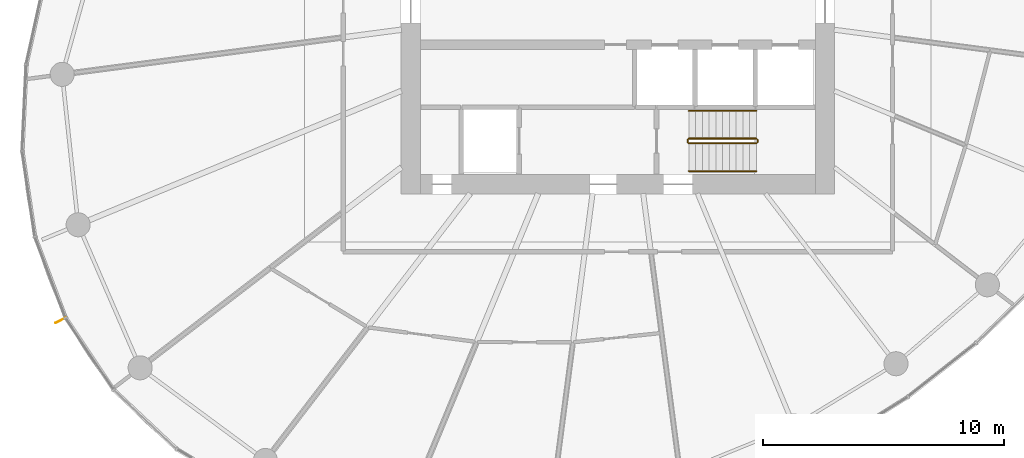
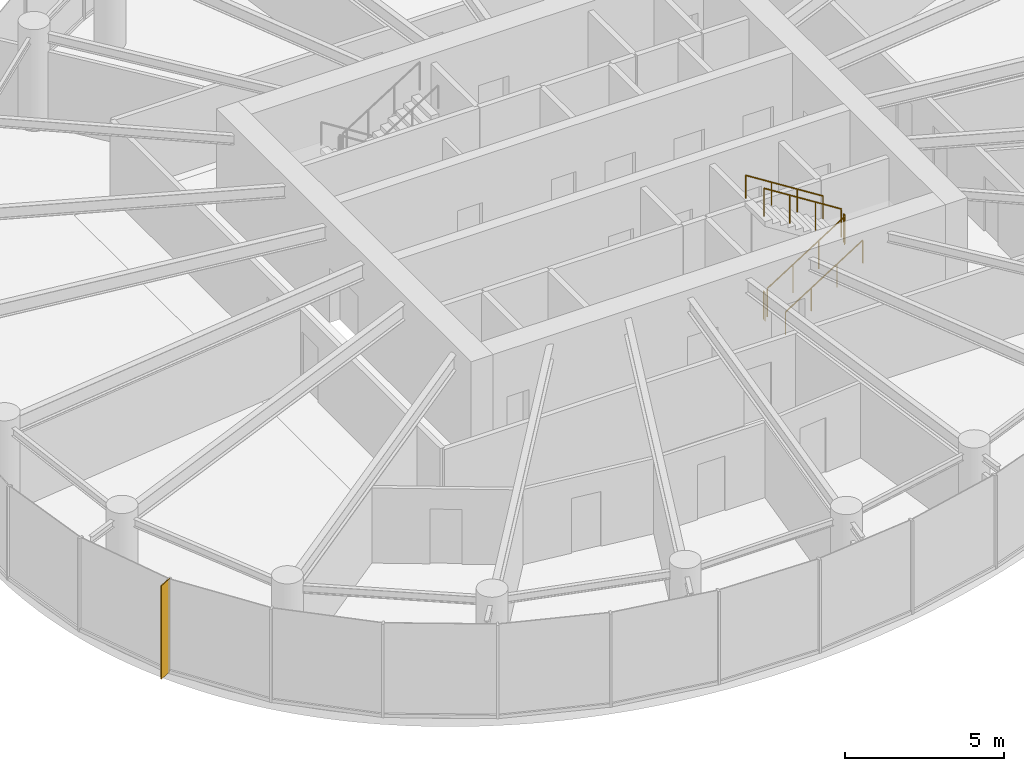
# One storey, part 12 of 14: 6 railings, 1 shading device.
"""IFC4 building model written with IfcOpenShell, lengths in metres."""

import ifcopenshell
import ifcopenshell.guid

model = None  # the IFC model being written
_history = None  # IfcOwnerHistory: only IFC2X3 demands one
_inside = {}  # id of a spatial element -> (the spatial element, [elements in it])
_under = {}  # id of a project, library or spatial element -> (it, [spatial elements below it])
_declared = {}  # id of a project -> (the project, [libraries it declares])
_typed = {}  # id of a type object -> (the type object, [elements of that type])
_made_of = {}  # id of a material, layer set ... -> (it, [elements and type objects made of it])


def new_model(schema):
    """Start an empty IFC model of exactly this schema.

    Asked for "IFC4X3", IfcOpenShell would pick the latest addendum, in which some entities
    have other attributes; the version numbers below select the first issue.
    IFC2X3 requires an IfcOwnerHistory on every rooted entity: one is made here for all.
    """
    global model, _history
    if schema == "IFC4X3":
        model = ifcopenshell.file(schema_version=(4, 3, 0, 0))
    else:
        model = ifcopenshell.file(schema=schema)
    _inside.clear()
    _under.clear()
    _declared.clear()
    _typed.clear()
    _made_of.clear()
    _history = None
    if model.schema == "IFC2X3":
        org = make("IfcOrganization", Name="unknown")
        user = make(
            "IfcPersonAndOrganization",
            ThePerson=make("IfcPerson", FamilyName="unknown"),
            TheOrganization=org,
        )
        app = make(
            "IfcApplication",
            ApplicationDeveloper=org,
            Version="unknown",
            ApplicationFullName="unknown",
            ApplicationIdentifier="unknown",
        )
        _history = make(
            "IfcOwnerHistory",
            OwningUser=user,
            OwningApplication=app,
            ChangeAction="ADDED",
            CreationDate=0,
        )
    return model


def make(cls, **values):
    """One entity of the class cls with the attributes given. An attribute that is None is left unset."""
    return model.create_entity(
        cls, **{name: value for name, value in values.items() if value is not None}
    )


def rooted(cls, **values):
    """An entity with a GlobalId (a new one), such as an element, a storey or a relation."""
    return make(cls, GlobalId=ifcopenshell.guid.new(), OwnerHistory=_history, **values)


def si_unit(unit_type, name, prefix=None):
    """IfcSIUnit, for example si_unit("LENGTHUNIT", "METRE", prefix="MILLI")."""
    return make("IfcSIUnit", UnitType=unit_type, Prefix=prefix, Name=name)


def assignment(units):
    """IfcUnitAssignment: the units of a project."""
    return None if units is None else make("IfcUnitAssignment", Units=units)


def point(xyz):
    """IfcCartesianPoint."""
    return None if xyz is None else make("IfcCartesianPoint", Coordinates=xyz)


def direction(xyz):
    """IfcDirection."""
    return None if xyz is None else make("IfcDirection", DirectionRatios=xyz)


def frame(location, z_axis=None, x_axis=None):
    """IfcAxis2Placement3D, a coordinate frame: its origin and axes. An axis left out is left unset."""
    return make(
        "IfcAxis2Placement3D",
        Location=point(location),
        Axis=direction(z_axis),
        RefDirection=direction(x_axis),
    )


def frame_2d(location, x_axis=None):
    """IfcAxis2Placement2D, a coordinate frame in the plane: its origin and x axis."""
    return make(
        "IfcAxis2Placement2D", Location=point(location), RefDirection=direction(x_axis)
    )


def origin():
    """The frame at (0, 0, 0) with its axes left unset."""
    return frame((0.0, 0.0, 0.0))


def origin_2d():
    """The frame at (0, 0) in the plane with its x axis left unset."""
    return frame_2d((0.0, 0.0))


def place(relative_to, where):
    """IfcLocalPlacement: puts the frame where relative to a parent placement (None: the world)."""
    return make(
        "IfcLocalPlacement", PlacementRelTo=relative_to, RelativePlacement=where
    )


def context(
    kind, dimensions, precision=None, world=None, true_north=None, identifier=None
):
    """IfcGeometricRepresentationContext, for example the 3D "Model" context."""
    return make(
        "IfcGeometricRepresentationContext",
        ContextIdentifier=identifier,
        ContextType=kind,
        CoordinateSpaceDimension=dimensions,
        Precision=precision,
        WorldCoordinateSystem=world,
        TrueNorth=true_north,
    )


def subcontext(parent, identifier, kind, view, scale=None):
    """IfcGeometricRepresentationSubContext, for example "Body" below "Model"."""
    return make(
        "IfcGeometricRepresentationSubContext",
        ContextIdentifier=identifier,
        ContextType=kind,
        ParentContext=parent,
        TargetScale=scale,
        TargetView=view,
    )


def project(units=None, contexts=None):
    """IfcProject with its units and contexts."""
    return rooted(
        "IfcProject",
        Name="project",
        RepresentationContexts=contexts,
        UnitsInContext=assignment(units),
    )


def spatial(cls, under=None, at=None, **own):
    """A site, building, storey or space (cls), placed at a placement, below another one or the project."""
    s = rooted(cls, ObjectPlacement=at, **own)
    if under is not None:
        _under.setdefault(under.id(), (under, []))[1].append(s)
    return s


def profile(cls, at=None, kind="AREA", **sizes):
    """A parametric profile (cls). Its sizes go by their IFC names, for example OverallWidth=200.0."""
    return make(cls, ProfileType=kind, Position=at, **sizes)


def rectangle(**sizes):
    """IfcRectangleProfileDef."""
    return profile("IfcRectangleProfileDef", **sizes)


def circle(**sizes):
    """IfcCircleProfileDef."""
    return profile("IfcCircleProfileDef", **sizes)


def extrude(swept, where, along, depth):
    """IfcExtrudedAreaSolid: the profile swept, set in the frame where, extruded along a direction by depth."""
    return make(
        "IfcExtrudedAreaSolid",
        SweptArea=swept,
        Position=where,
        ExtrudedDirection=direction(along),
        Depth=depth,
    )


def shape(context_of_items, identifier, shape_type, items):
    """IfcShapeRepresentation: the items that make up one representation, for example the "Body"."""
    return make(
        "IfcShapeRepresentation",
        ContextOfItems=context_of_items,
        RepresentationIdentifier=identifier,
        RepresentationType=shape_type,
        Items=items,
    )


def source(mapping_origin, context_of_items, identifier, shape_type, items):
    """IfcRepresentationMap: a shape defined once, which mapped items show again and again."""
    return make(
        "IfcRepresentationMap",
        MappingOrigin=mapping_origin,
        MappedRepresentation=shape(context_of_items, identifier, shape_type, items),
    )


def transform(
    local_origin,
    x_axis=None,
    y_axis=None,
    z_axis=None,
    scale=None,
    scale2=None,
    scale3=None,
    uniform=True,
):
    """IfcCartesianTransformationOperator3D, or its non-uniform kind. x_axis, y_axis, z_axis: its Axis1, 2, 3."""
    if uniform:
        return make(
            "IfcCartesianTransformationOperator3D",
            Axis1=direction(x_axis),
            Axis2=direction(y_axis),
            LocalOrigin=point(local_origin),
            Scale=scale,
            Axis3=direction(z_axis),
        )
    return make(
        "IfcCartesianTransformationOperator3DnonUniform",
        Axis1=direction(x_axis),
        Axis2=direction(y_axis),
        LocalOrigin=point(local_origin),
        Scale=scale,
        Axis3=direction(z_axis),
        Scale2=scale2,
        Scale3=scale3,
    )


def mapped(mapping_source, mapping_target):
    """IfcMappedItem: shows the shape of a source again, moved by a transform."""
    return make(
        "IfcMappedItem", MappingSource=mapping_source, MappingTarget=mapping_target
    )


def material(Name=None, Category=None):
    """IfcMaterial."""
    return make("IfcMaterial", Name=Name, Category=Category)


def material_profile(
    of_material, cross_section, Name=None, Category=None, Priority=None
):
    """IfcMaterialProfile: a cross section and its material."""
    return make(
        "IfcMaterialProfile",
        Name=Name,
        Material=of_material,
        Profile=cross_section,
        Priority=Priority,
        Category=Category,
    )


def profile_set(profiles, Name=None, composite=None):
    """IfcMaterialProfileSet."""
    return make(
        "IfcMaterialProfileSet",
        Name=Name,
        MaterialProfiles=profiles,
        CompositeProfile=composite,
    )


def made_of(thing, what):
    """Note that an element or type object is made of a material, layer set ...; save() writes the relation."""
    if what is not None:
        _made_of.setdefault(what.id(), (what, []))[1].append(thing)
    return thing


def type_object(cls, material=None, **own):
    """A type object (cls), such as IfcWallType, which elements share."""
    return made_of(rooted(cls, **own), material)


def element(
    cls,
    number,
    at=None,
    inside=None,
    cuts=None,
    type_object=None,
    material=None,
    context=None,
    identifier="Body",
    shape_type=None,
    held_by="IfcProductDefinitionShape",
    body=None,
    shapes=None,
    **own,
):
    """One element of the class cls, such as IfcWall. Its Tag is "e" and its number.

    at: its placement. inside: the storey or other place that contains it. cuts: it is an
    opening in that element (IfcRelVoidsElement). A single representation is given by context,
    identifier, shape_type and body (its items); several are given by shapes. held_by: the class
    of the entity that holds the representations. save() writes the other relations.
    """
    e = rooted(cls, Tag="e%d" % number, ObjectPlacement=at, **own)
    if body is not None:
        shapes = [shape(context, identifier, shape_type, body)]
    if shapes is not None:
        e.Representation = make(held_by, Representations=shapes)
    if inside is not None:
        _inside.setdefault(inside.id(), (inside, []))[1].append(e)
    if cuts is not None:
        rooted(
            "IfcRelVoidsElement", RelatingBuildingElement=cuts, RelatedOpeningElement=e
        )
    if type_object is not None:
        _typed.setdefault(type_object.id(), (type_object, []))[1].append(e)
    return made_of(e, material)


def aggregate(whole, parts):
    """IfcRelAggregates: a whole, such as a stair, and the parts it consists of."""
    return rooted("IfcRelAggregates", RelatingObject=whole, RelatedObjects=parts)


def save(model, path):
    """Write the relations noted so far, then the file.

    IfcRelAggregates (storeys below a building ...), IfcRelContainedInSpatialStructure (elements
    in a storey), IfcRelDefinesByType, IfcRelAssociatesMaterial and IfcRelDeclares: one each for
    every whole, place, type object, material and project.
    """
    for whole, parts in _under.values():
        aggregate(whole, parts)
    for where, things in _inside.values():
        rooted(
            "IfcRelContainedInSpatialStructure",
            RelatedElements=things,
            RelatingStructure=where,
        )
    for kind, things in _typed.values():
        rooted("IfcRelDefinesByType", RelatedObjects=things, RelatingType=kind)
    for what, things in _made_of.values():
        rooted("IfcRelAssociatesMaterial", RelatedObjects=things, RelatingMaterial=what)
    for by, libraries in _declared.values():
        rooted("IfcRelDeclares", RelatingContext=by, RelatedDefinitions=libraries)
    model.write(path)


model = new_model("IFC4")

# Units and contexts
model_context = context("Model", 3, precision=1e-05, world=origin(), true_north=direction((0.0, 1.0)))
body_context = subcontext(model_context, "Body", "Model", "MODEL_VIEW")
ifc_project = project(units=[si_unit("LENGTHUNIT", "METRE"), si_unit("AREAUNIT", "SQUARE_METRE"), si_unit("VOLUMEUNIT", "CUBIC_METRE"), si_unit("PLANEANGLEUNIT", "RADIAN"), si_unit("MASSUNIT", "GRAM", prefix="KILO")], contexts=[model_context])

# Site, building, storey
site_placement = place(None, origin())
site = spatial("IfcSite", under=ifc_project, at=site_placement, CompositionType="ELEMENT")
building_placement = place(site_placement, origin())
building = spatial("IfcBuilding", under=site, at=building_placement, Name="Spindrift Exchange Tower", CompositionType="ELEMENT")
storey_placement = place(building_placement, frame((0.0, 0.0, 140.89990234375)))
storey = spatial("IfcBuildingStorey", under=building, at=storey_placement, Name="L33", CompositionType="ELEMENT", Elevation=140.89990234375)

# Railings
ifc_material_1 = material(Name="Steel balustrade", Category="steel")
railing_type_1 = type_object("IfcRailingType", Name="RL-STAIR-GUARD", PredefinedType="GUARDRAIL", material=ifc_material_1)
railing_1_placement = place(storey_placement, frame((54.949951171875, 42.10009765625, 0.177490234375)))
element("IfcRailing", 1, at=railing_1_placement, inside=storey, type_object=railing_type_1, Name="L33 ST2 stair guard 1", PredefinedType="GUARDRAIL", context=body_context, shape_type="SweptSolid", body=[
    extrude(circle(Radius=0.02392578125, at=origin_2d()), frame((0.0, 0.0, 1.076171875), z_axis=(0.844908973607, 0.0, 0.534910110503), x_axis=(0.0, 1.0, 0.0)), (0.0, 0.0, 1.0), 3.31396484375),
    extrude(circle(Radius=0.02099609375, at=origin_2d()), origin(), (0.0, 0.0, 1.0), 1.052001953125),
    extrude(circle(Radius=0.02099609375, at=origin_2d()), frame((0.933349609375, 0.0, 0.5908203125)), (0.0, 0.0, 1.0), 1.052001953125),
    extrude(circle(Radius=0.02099609375, at=origin_2d()), frame((1.86669921875, 0.0, 1.181884765625)), (0.0, 0.0, 1.0), 1.052001953125),
    extrude(circle(Radius=0.02099609375, at=origin_2d()), frame((2.800048828125, 0.0, 1.772705078125)), (0.0, 0.0, 1.0), 1.052001953125),
])
railing_2_placement = place(storey_placement, frame((57.800048828125, 42.14990234375, 1.9501953125)))
element("IfcRailing", 2, at=railing_2_placement, inside=storey, type_object=railing_type_1, Name="L33 ST2 stair guard 2", PredefinedType="GUARDRAIL", context=body_context, shape_type="SweptSolid", body=[
    extrude(circle(Radius=0.02392578125, at=origin_2d()), frame((0.0, 0.0, 1.076171875), z_axis=(0.0, 1.0, 0.0), x_axis=(-1.0, 0.0, 0.0)), (0.0, 0.0, 1.0), 0.10009765625),
    extrude(circle(Radius=0.02099609375, at=origin_2d()), origin(), (0.0, 0.0, 1.0), 1.052001953125),
    extrude(circle(Radius=0.02099609375, at=origin_2d()), frame((0.0, 0.10009765625, 0.0)), (0.0, 0.0, 1.0), 1.052001953125),
])
railing_3_placement = place(storey_placement, frame((57.75, 42.300048828125, 2.12744140625)))
element("IfcRailing", 3, at=railing_3_placement, inside=storey, type_object=railing_type_1, Name="L33 ST2 stair guard 3", PredefinedType="GUARDRAIL", context=body_context, shape_type="SweptSolid", body=[
    extrude(circle(Radius=0.02392578125, at=origin_2d()), frame((0.0, 0.0, 1.076171875), z_axis=(-0.844908973607, 0.0, 0.534910110503), x_axis=(0.0, -1.0, 0.0)), (0.0, 0.0, 1.0), 3.31396484375),
    extrude(circle(Radius=0.02099609375, at=origin_2d()), origin(), (0.0, 0.0, 1.0), 1.052001953125),
    extrude(circle(Radius=0.02099609375, at=origin_2d()), frame((-0.933349609375, 0.0, 0.5908203125)), (0.0, 0.0, 1.0), 1.052001953125),
    extrude(circle(Radius=0.02099609375, at=origin_2d()), frame((-1.86669921875, 0.0, 1.181884765625)), (0.0, 0.0, 1.0), 1.052001953125),
    extrude(circle(Radius=0.02099609375, at=origin_2d()), frame((-2.800048828125, 0.0, 1.772705078125)), (0.0, 0.0, 1.0), 1.052001953125),
])
railing_4_placement = place(storey_placement, frame((54.89990234375, 42.14990234375, 0.0)))
element("IfcRailing", 4, at=railing_4_placement, inside=storey, type_object=railing_type_1, Name="L33 ST2 stair guard 4", PredefinedType="GUARDRAIL", context=body_context, shape_type="SweptSolid", body=[
    extrude(circle(Radius=0.02392578125, at=origin_2d()), frame((0.0, 0.0, 1.076171875), z_axis=(0.0, 1.0, 0.0), x_axis=(-1.0, 0.0, 0.0)), (0.0, 0.0, 1.0), 0.10009765625),
    extrude(circle(Radius=0.02099609375, at=origin_2d()), origin(), (0.0, 0.0, 1.0), 1.052001953125),
    extrude(circle(Radius=0.02099609375, at=origin_2d()), frame((0.0, 0.10009765625, 0.0)), (0.0, 0.0, 1.0), 1.052001953125),
])
ifc_material_2 = material(Name="Steel tubular handrail", Category="steel")
railing_type_2 = type_object("IfcRailingType", Name="RL-STAIR-HAND", PredefinedType="HANDRAIL", material=ifc_material_2)
railing_5_placement = place(storey_placement, frame((54.949951171875, 40.949951171875, 0.177490234375)))
element("IfcRailing", 5, at=railing_5_placement, inside=storey, type_object=railing_type_2, Name="L33 ST2 stair handrail 1", PredefinedType="HANDRAIL", context=body_context, shape_type="SweptSolid", body=[
    extrude(circle(Radius=0.02392578125, at=origin_2d()), frame((0.0, 0.0, 0.8759765625), z_axis=(0.844908973607, 0.0, 0.534910110503), x_axis=(0.0, 1.0, 0.0)), (0.0, 0.0, 1.0), 3.31396484375),
    extrude(circle(Radius=0.02099609375, at=origin_2d()), origin(), (0.0, 0.0, 1.0), 0.851806640625),
    extrude(circle(Radius=0.02099609375, at=origin_2d()), frame((0.933349609375, 0.0, 0.5908203125)), (0.0, 0.0, 1.0), 0.851806640625),
    extrude(circle(Radius=0.02099609375, at=origin_2d()), frame((1.86669921875, 0.0, 1.181884765625)), (0.0, 0.0, 1.0), 0.851806640625),
    extrude(circle(Radius=0.02099609375, at=origin_2d()), frame((2.800048828125, 0.0, 1.772705078125)), (0.0, 0.0, 1.0), 0.851806640625),
])
railing_6_placement = place(storey_placement, frame((57.75, 43.449951171875, 2.12744140625)))
element("IfcRailing", 6, at=railing_6_placement, inside=storey, type_object=railing_type_2, Name="L33 ST2 stair handrail 2", PredefinedType="HANDRAIL", context=body_context, shape_type="SweptSolid", body=[
    extrude(circle(Radius=0.02392578125, at=origin_2d()), frame((0.0, 0.0, 0.8759765625), z_axis=(-0.844908973607, 0.0, 0.534910110503), x_axis=(0.0, -1.0, 0.0)), (0.0, 0.0, 1.0), 3.31396484375),
    extrude(circle(Radius=0.02099609375, at=origin_2d()), origin(), (0.0, 0.0, 1.0), 0.851806640625),
    extrude(circle(Radius=0.02099609375, at=origin_2d()), frame((-0.933349609375, 0.0, 0.5908203125)), (0.0, 0.0, 1.0), 0.851806640625),
    extrude(circle(Radius=0.02099609375, at=origin_2d()), frame((-1.86669921875, 0.0, 1.181884765625)), (0.0, 0.0, 1.0), 0.851806640625),
    extrude(circle(Radius=0.02099609375, at=origin_2d()), frame((-2.800048828125, 0.0, 1.772705078125)), (0.0, 0.0, 1.0), 0.851806640625),
])

# Shading device
ifc_material_3 = material(Name="Bronze anodised aluminium", Category="aluminium")
ifc_material_profile = material_profile(ifc_material_3, rectangle(XDim=0.030029296875, YDim=0.5, at=origin_2d()), Name="WIND FIN 30X500")
ifc_profile_set = profile_set([ifc_material_profile], Name="Bronze anodised aluminium")
shading_device_type = type_object("IfcShadingDeviceType", Name="WIND FIN 30X500", PredefinedType="USERDEFINED", material=ifc_profile_set)
shared_shape = source(origin(), body_context, "Body", "SweptSolid", [
    extrude(rectangle(XDim=0.030029296875, YDim=0.5, at=origin_2d()), origin(), (0.0, 0.0, 1.0), 3.580078125),
])
shading_device_placement = place(storey_placement, frame((28.884033203125, 34.76025390625, 0.0), z_axis=(0.0, 0.0, 1.0), x_axis=(0.457389739437, -0.889266341575, 0.0)))
element("IfcShadingDevice", 7, at=shading_device_placement, inside=storey, type_object=shading_device_type, Name="L33 wind fin 1", ObjectType="FIN", PredefinedType="USERDEFINED", context=body_context, shape_type="MappedRepresentation", body=[
    mapped(shared_shape, transform((0.0, 0.0, 0.0), scale=1.0)),
])

save(model, "model.ifc")
